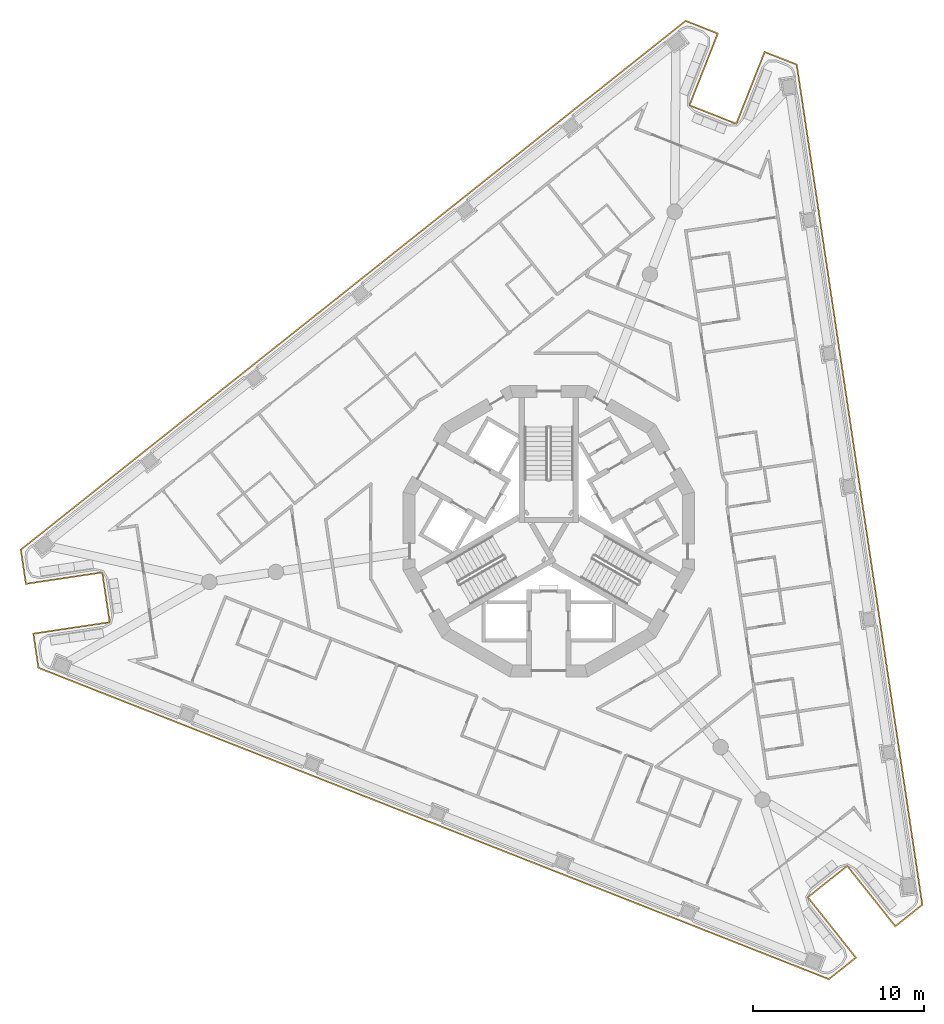
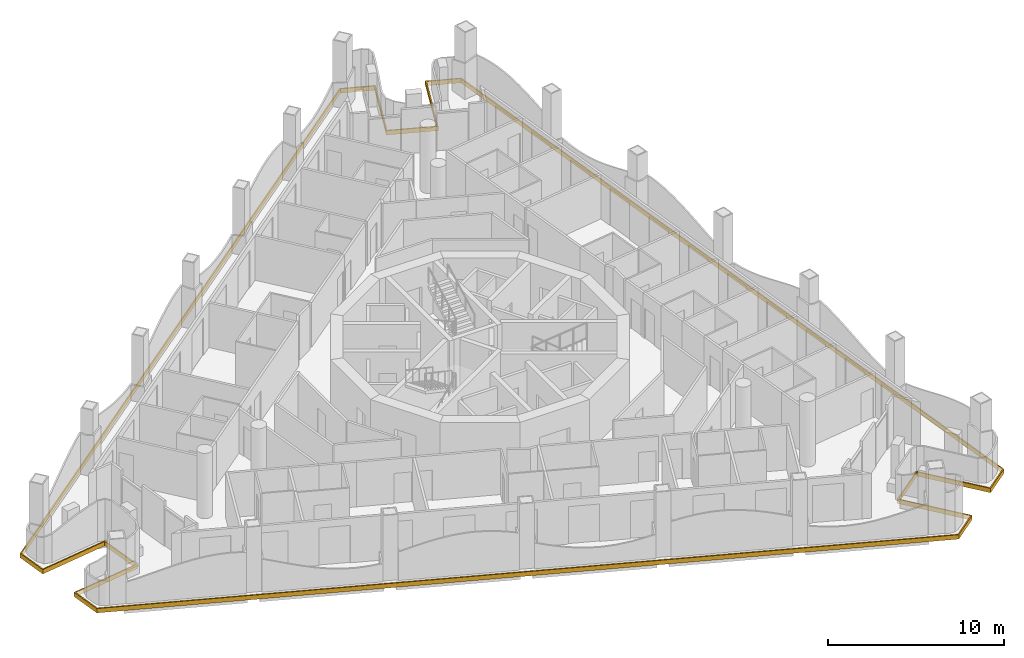
# One storey, part 12 of 16: 1 covering.
"""IFC4 building model written with IfcOpenShell, lengths in metres."""

from ifc_helpers import new_model, si_unit, direction, frame, origin, place, context, subcontext, project, spatial, polyline, outline, extrude, material, layer, layer_set, type_object, element, save


model = new_model("IFC4")

# Units and contexts
model_context = context("Model", 3, precision=1e-05, world=origin(), true_north=direction((0.0, 1.0)))
body_context = subcontext(model_context, "Body", "Model", "MODEL_VIEW")
ifc_project = project(units=[si_unit("LENGTHUNIT", "METRE"), si_unit("AREAUNIT", "SQUARE_METRE"), si_unit("VOLUMEUNIT", "CUBIC_METRE"), si_unit("PLANEANGLEUNIT", "RADIAN"), si_unit("MASSUNIT", "GRAM", prefix="KILO")], contexts=[model_context])

# Site, building, storey
site_placement = place(None, origin())
site = spatial("IfcSite", under=ifc_project, at=site_placement, CompositionType="ELEMENT")
building_placement = place(site_placement, origin())
building = spatial("IfcBuilding", under=site, at=building_placement, Name="Trine Commons Tower", CompositionType="ELEMENT")
storey_placement = place(building_placement, frame((0.0, 0.0, 226.800048828125)))
storey = spatial("IfcBuildingStorey", under=building, at=storey_placement, Name="L59", CompositionType="ELEMENT", Elevation=226.800048828125)

# Covering
ifc_material = material(Name="Limestone, honed", Category="masonry")
ifc_layer = layer(ifc_material, 0.074951171875)
ifc_layer_set = layer_set([ifc_layer], Name="Limestone, honed")
covering_type = type_object("IfcCoveringType", Name="Limestone spandrel panel 75", PredefinedType="CLADDING", material=ifc_layer_set)
covering_placement = place(storey_placement, frame((0.0, 0.0, -0.300048828125)))
element("IfcCovering", 1, at=covering_placement, inside=storey, type_object=covering_type, Name="Limestone spandrel panel 6-01", PredefinedType="CLADDING", context=body_context, shape_type="SweptSolid", body=[
    extrude(outline(polyline([(97.397705078125, 42.917236328125), (100.198974609375, 39.3955078125), (101.82861328125, 40.69189453125), (94.498779296875, 89.7373046875), (92.561279296875, 90.50048828125), (90.912109375, 86.313720703125), (88.26025390625, 87.358154296875), (89.90966796875, 91.545166015625), (87.97216796875, 92.308349609375), (49.162353515625, 61.4375), (49.47021484375, 59.378173828125), (53.9208984375, 60.043212890625), (54.342041015625, 57.224609375), (49.891357421875, 56.559326171875), (50.19921875, 54.5), (96.3388671875, 36.324951171875), (97.968505859375, 37.621337890625), (95.167236328125, 41.14306640625), (97.397705078125, 42.917236328125)]), holes=[polyline([(92.603515625, 90.4033203125), (94.430908203125, 89.683349609375), (101.748046875, 40.7236328125), (100.2109375, 39.5009765625), (97.40966796875, 43.022705078125), (95.061767578125, 41.155029296875), (97.86328125, 37.63330078125), (96.325927734375, 36.41064453125), (50.26708984375, 54.5537109375), (49.976806640625, 56.496337890625), (54.42724609375, 57.16162109375), (53.98388671875, 60.12841796875), (49.533203125, 59.46337890625), (49.242919921875, 61.406005859375), (87.98486328125, 92.22265625), (89.812255859375, 91.502685546875), (88.1630859375, 87.31591796875), (90.954345703125, 86.21630859375), (92.603515625, 90.4033203125)])]), origin(), (0.0, 0.0, 1.0), 0.300048828125),
])

save(model, "model.ifc")
